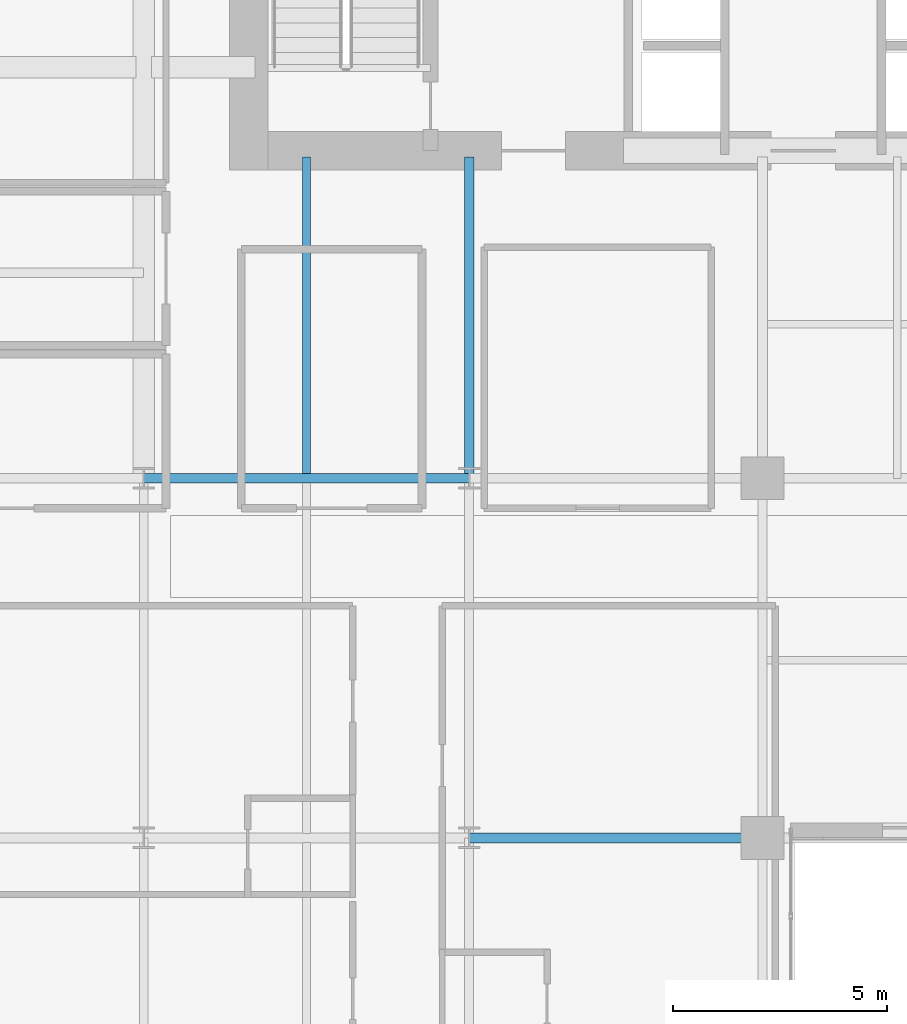
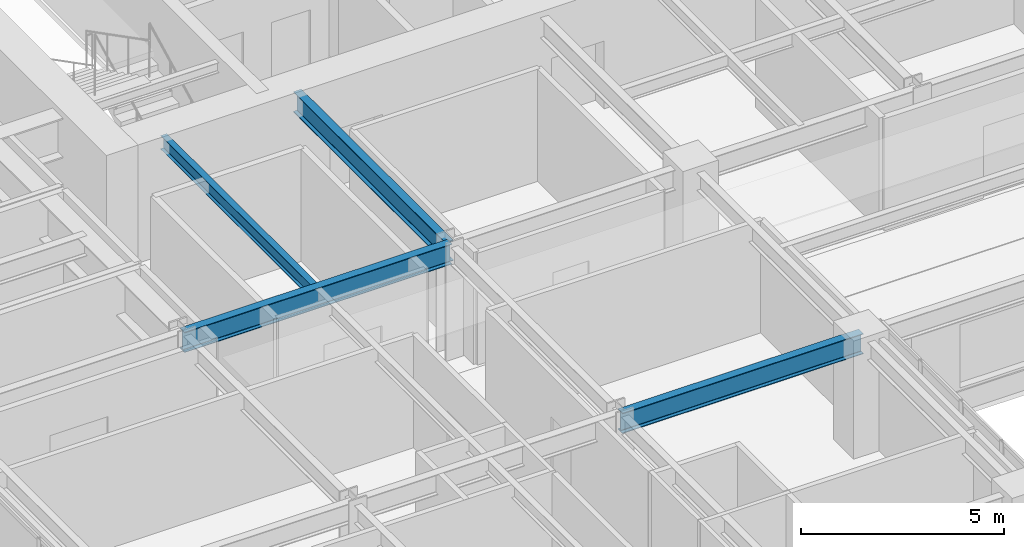
# One storey, part 11 of 37: 4 beams.
"""IFC4 building model written with IfcOpenShell, lengths in metres."""

from ifc_helpers import new_model, si_unit, direction, frame, origin, origin_2d, place, context, subcontext, project, spatial, i_section, extrude, source, transform, mapped, material, material_profile, profile_set, type_object, type_shapes, element, save


model = new_model("IFC4")

# Units and contexts
model_context = context("Model", 3, precision=1e-05, world=origin(), true_north=direction((0.0, 1.0)))
body_context = subcontext(model_context, "Body", "Model", "MODEL_VIEW")
ifc_project = project(units=[si_unit("LENGTHUNIT", "METRE"), si_unit("AREAUNIT", "SQUARE_METRE"), si_unit("VOLUMEUNIT", "CUBIC_METRE"), si_unit("PLANEANGLEUNIT", "RADIAN"), si_unit("MASSUNIT", "GRAM", prefix="KILO")], contexts=[model_context])

# Site, building, storey
site_placement = place(None, origin())
site = spatial("IfcSite", under=ifc_project, at=site_placement, CompositionType="ELEMENT")
building_placement = place(site_placement, origin())
building = spatial("IfcBuilding", under=site, at=building_placement, Name="Tolvann Quenvar Hotel", CompositionType="ELEMENT")
storey_placement = place(building_placement, frame((0.0, 0.0, 53.300048828125)))
storey = spatial("IfcBuildingStorey", under=building, at=storey_placement, Name="L12", CompositionType="ELEMENT", Elevation=53.300048828125)

# Beams
ifc_material = material(Name="Steel Grade 350", Category="steel")
ifc_material_profile_1 = material_profile(ifc_material, i_section(OverallWidth=0.22900390625, OverallDepth=0.612060546875, WebThickness=0.011962890625, FlangeThickness=0.01953125, FilletRadius=0.013916015625, at=origin_2d()), Name="610UB125")
ifc_profile_set_1 = profile_set([ifc_material_profile_1], Name="Steel Grade 350")
beam_type_1 = type_object("IfcBeamType", Name="BM_GIRD_610UB125", PredefinedType="BEAM", material=ifc_profile_set_1)
shared_shape_1 = source(origin(), body_context, "Body", "SweptSolid", [
    extrude(i_section(OverallWidth=0.22900390625, OverallDepth=0.612060546875, WebThickness=0.011962890625, FlangeThickness=0.01953125, FilletRadius=0.013916015625, at=origin_2d()), origin(), (0.0, 0.0, 1.0), 7.599853515625),
])
beam_1_placement = place(storey_placement, frame((7.60009765625, 24.39990234375, 3.06396484375), z_axis=(1.0, 0.0, 0.0), x_axis=(0.0, 1.0, 0.0)))
element("IfcBeam", 1, at=beam_1_placement, inside=storey, type_object=beam_type_1, Name="BM-L12-EW-5-C5-D5", PredefinedType="BEAM", context=body_context, shape_type="MappedRepresentation", body=[
    mapped(shared_shape_1, transform((0.0, 0.0, 0.0), x_axis=(1.0, 0.0, 0.0), y_axis=(0.0, 1.0, 0.0), z_axis=(0.0, 0.0, 1.0), scale=1.0)),
])
shared_shape_2 = source(origin(), body_context, "Body", "SweptSolid", [
    extrude(i_section(OverallWidth=0.22900390625, OverallDepth=0.612060546875, WebThickness=0.011962890625, FlangeThickness=0.01953125, FilletRadius=0.013916015625, at=origin_2d()), origin(), (0.0, 0.0, 1.0), 6.85009765625),
])
beam_2_placement = place(storey_placement, frame((15.199951171875, 16.0, 3.06396484375), z_axis=(1.0, 0.0, 0.0), x_axis=(0.0, 1.0, 0.0)))
element("IfcBeam", 2, at=beam_2_placement, inside=storey, type_object=beam_type_1, Name="BM-L12-EW-4-D4-E4", PredefinedType="BEAM", context=body_context, shape_type="MappedRepresentation", body=[
    mapped(shared_shape_2, transform((0.0, 0.0, 0.0), x_axis=(1.0, 0.0, 0.0), y_axis=(0.0, 1.0, 0.0), z_axis=(0.0, 0.0, 1.0), scale=1.0)),
])
shared_shape_3 = source(origin(), body_context, "Body", "SweptSolid", [
    extrude(i_section(OverallWidth=0.22900390625, OverallDepth=0.612060546875, WebThickness=0.011962890625, FlangeThickness=0.01953125, FilletRadius=0.013916015625, at=origin_2d()), origin(), (0.0, 0.0, 1.0), 7.5),
])
type_shapes(beam_type_1, [shared_shape_1, shared_shape_2, shared_shape_3])
beam_3_placement = place(storey_placement, frame((15.199951171875, 24.39990234375, 3.06396484375), z_axis=(0.0, 1.0, 0.0), x_axis=(-1.0, 0.0, 0.0)))
element("IfcBeam", 3, at=beam_3_placement, inside=storey, type_object=beam_type_1, Name="BM-L12-CORE-D5", PredefinedType="BEAM", context=body_context, shape_type="MappedRepresentation", body=[
    mapped(shared_shape_3, transform((0.0, 0.0, 0.0), x_axis=(1.0, 0.0, 0.0), y_axis=(0.0, 1.0, 0.0), z_axis=(0.0, 0.0, 1.0), scale=1.0)),
])
ifc_material_profile_2 = material_profile(ifc_material, i_section(OverallWidth=0.177978515625, OverallDepth=0.406005859375, WebThickness=0.0078125, FlangeThickness=0.0126953125, FilletRadius=0.011474609375, at=origin_2d()), Name="410UB60")
ifc_profile_set_2 = profile_set([ifc_material_profile_2], Name="Steel Grade 350")
beam_type_2 = type_object("IfcBeamType", Name="BM_JOIST_410UB60", PredefinedType="JOIST", material=ifc_profile_set_2)
shared_shape_4 = source(origin(), body_context, "Body", "SweptSolid", [
    extrude(i_section(OverallWidth=0.177978515625, OverallDepth=0.406005859375, WebThickness=0.0078125, FlangeThickness=0.0126953125, FilletRadius=0.011474609375, at=origin_2d()), origin(), (0.0, 0.0, 1.0), 7.391357421875),
])
type_shapes(beam_type_2, [shared_shape_4])
beam_4_placement = place(storey_placement, frame((11.39990234375, 24.508544921875, 3.1669921875), z_axis=(0.0, 1.0, 0.0), x_axis=(-1.0, 0.0, 0.0)))
element("IfcBeam", 4, at=beam_4_placement, inside=storey, type_object=beam_type_2, Name="BJ-L12-114-244", PredefinedType="JOIST", context=body_context, shape_type="MappedRepresentation", body=[
    mapped(shared_shape_4, transform((0.0, 0.0, 0.0), x_axis=(1.0, 0.0, 0.0), y_axis=(0.0, 1.0, 0.0), z_axis=(0.0, 0.0, 1.0), scale=1.0)),
])

save(model, "model.ifc")
